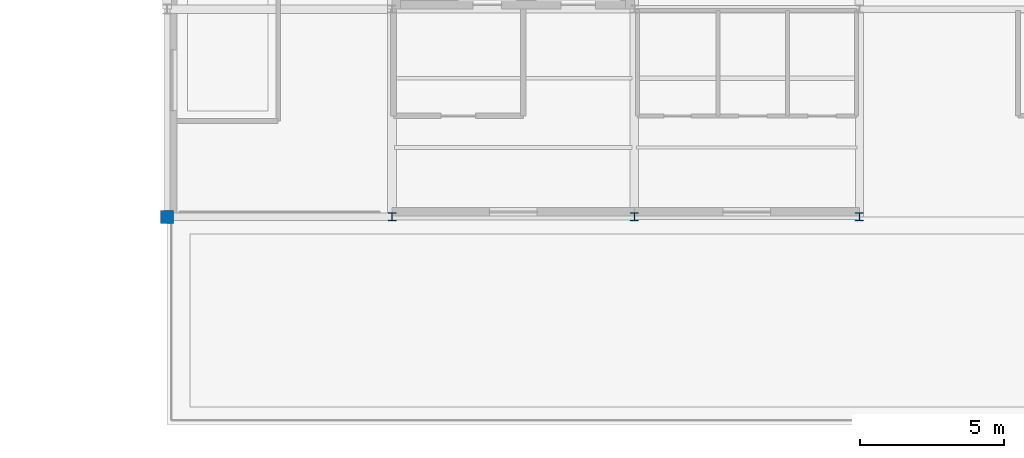
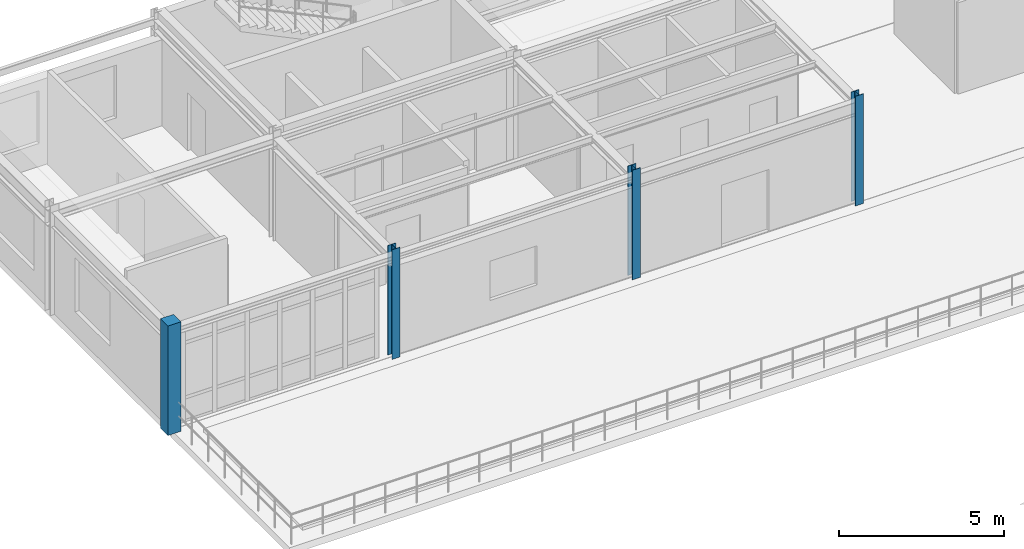
# One storey, part 3 of 58: 4 columns.
"""IFC4 building model written with IfcOpenShell, lengths in metres."""

import ifcopenshell
import ifcopenshell.guid

model = None  # the IFC model being written
_history = None  # IfcOwnerHistory: only IFC2X3 demands one
_inside = {}  # id of a spatial element -> (the spatial element, [elements in it])
_under = {}  # id of a project, library or spatial element -> (it, [spatial elements below it])
_declared = {}  # id of a project -> (the project, [libraries it declares])
_typed = {}  # id of a type object -> (the type object, [elements of that type])
_made_of = {}  # id of a material, layer set ... -> (it, [elements and type objects made of it])


def new_model(schema):
    """Start an empty IFC model of exactly this schema.

    Asked for "IFC4X3", IfcOpenShell would pick the latest addendum, in which some entities
    have other attributes; the version numbers below select the first issue.
    IFC2X3 requires an IfcOwnerHistory on every rooted entity: one is made here for all.
    """
    global model, _history
    if schema == "IFC4X3":
        model = ifcopenshell.file(schema_version=(4, 3, 0, 0))
    else:
        model = ifcopenshell.file(schema=schema)
    _inside.clear()
    _under.clear()
    _declared.clear()
    _typed.clear()
    _made_of.clear()
    _history = None
    if model.schema == "IFC2X3":
        org = make("IfcOrganization", Name="unknown")
        user = make(
            "IfcPersonAndOrganization",
            ThePerson=make("IfcPerson", FamilyName="unknown"),
            TheOrganization=org,
        )
        app = make(
            "IfcApplication",
            ApplicationDeveloper=org,
            Version="unknown",
            ApplicationFullName="unknown",
            ApplicationIdentifier="unknown",
        )
        _history = make(
            "IfcOwnerHistory",
            OwningUser=user,
            OwningApplication=app,
            ChangeAction="ADDED",
            CreationDate=0,
        )
    return model


def make(cls, **values):
    """One entity of the class cls with the attributes given. An attribute that is None is left unset."""
    return model.create_entity(
        cls, **{name: value for name, value in values.items() if value is not None}
    )


def rooted(cls, **values):
    """An entity with a GlobalId (a new one), such as an element, a storey or a relation."""
    return make(cls, GlobalId=ifcopenshell.guid.new(), OwnerHistory=_history, **values)


def si_unit(unit_type, name, prefix=None):
    """IfcSIUnit, for example si_unit("LENGTHUNIT", "METRE", prefix="MILLI")."""
    return make("IfcSIUnit", UnitType=unit_type, Prefix=prefix, Name=name)


def derived_unit(unit_type, elements):
    """IfcDerivedUnit: a product of units, each with its exponent."""
    return make(
        "IfcDerivedUnit",
        Elements=[
            make("IfcDerivedUnitElement", Unit=unit, Exponent=power)
            for unit, power in elements
        ],
        UnitType=unit_type,
    )


def assignment(units):
    """IfcUnitAssignment: the units of a project."""
    return None if units is None else make("IfcUnitAssignment", Units=units)


def point(xyz):
    """IfcCartesianPoint."""
    return None if xyz is None else make("IfcCartesianPoint", Coordinates=xyz)


def direction(xyz):
    """IfcDirection."""
    return None if xyz is None else make("IfcDirection", DirectionRatios=xyz)


def frame(location, z_axis=None, x_axis=None):
    """IfcAxis2Placement3D, a coordinate frame: its origin and axes. An axis left out is left unset."""
    return make(
        "IfcAxis2Placement3D",
        Location=point(location),
        Axis=direction(z_axis),
        RefDirection=direction(x_axis),
    )


def frame_2d(location, x_axis=None):
    """IfcAxis2Placement2D, a coordinate frame in the plane: its origin and x axis."""
    return make(
        "IfcAxis2Placement2D", Location=point(location), RefDirection=direction(x_axis)
    )


def origin():
    """The frame at (0, 0, 0) with its axes left unset."""
    return frame((0.0, 0.0, 0.0))


def origin_2d():
    """The frame at (0, 0) in the plane with its x axis left unset."""
    return frame_2d((0.0, 0.0))


def place(relative_to, where):
    """IfcLocalPlacement: puts the frame where relative to a parent placement (None: the world)."""
    return make(
        "IfcLocalPlacement", PlacementRelTo=relative_to, RelativePlacement=where
    )


def context(
    kind, dimensions, precision=None, world=None, true_north=None, identifier=None
):
    """IfcGeometricRepresentationContext, for example the 3D "Model" context."""
    return make(
        "IfcGeometricRepresentationContext",
        ContextIdentifier=identifier,
        ContextType=kind,
        CoordinateSpaceDimension=dimensions,
        Precision=precision,
        WorldCoordinateSystem=world,
        TrueNorth=true_north,
    )


def subcontext(parent, identifier, kind, view, scale=None):
    """IfcGeometricRepresentationSubContext, for example "Body" below "Model"."""
    return make(
        "IfcGeometricRepresentationSubContext",
        ContextIdentifier=identifier,
        ContextType=kind,
        ParentContext=parent,
        TargetScale=scale,
        TargetView=view,
    )


def project(units=None, contexts=None):
    """IfcProject with its units and contexts."""
    return rooted(
        "IfcProject",
        Name="project",
        RepresentationContexts=contexts,
        UnitsInContext=assignment(units),
    )


def spatial(cls, under=None, at=None, **own):
    """A site, building, storey or space (cls), placed at a placement, below another one or the project."""
    s = rooted(cls, ObjectPlacement=at, **own)
    if under is not None:
        _under.setdefault(under.id(), (under, []))[1].append(s)
    return s


def profile(cls, at=None, kind="AREA", **sizes):
    """A parametric profile (cls). Its sizes go by their IFC names, for example OverallWidth=200.0."""
    return make(cls, ProfileType=kind, Position=at, **sizes)


def rectangle(**sizes):
    """IfcRectangleProfileDef."""
    return profile("IfcRectangleProfileDef", **sizes)


def i_section(**sizes):
    """IfcIShapeProfileDef."""
    return profile("IfcIShapeProfileDef", **sizes)


def extrude(swept, where, along, depth):
    """IfcExtrudedAreaSolid: the profile swept, set in the frame where, extruded along a direction by depth."""
    return make(
        "IfcExtrudedAreaSolid",
        SweptArea=swept,
        Position=where,
        ExtrudedDirection=direction(along),
        Depth=depth,
    )


def shape(context_of_items, identifier, shape_type, items):
    """IfcShapeRepresentation: the items that make up one representation, for example the "Body"."""
    return make(
        "IfcShapeRepresentation",
        ContextOfItems=context_of_items,
        RepresentationIdentifier=identifier,
        RepresentationType=shape_type,
        Items=items,
    )


def material(Name=None, Category=None):
    """IfcMaterial."""
    return make("IfcMaterial", Name=Name, Category=Category)


def material_profile(
    of_material, cross_section, Name=None, Category=None, Priority=None
):
    """IfcMaterialProfile: a cross section and its material."""
    return make(
        "IfcMaterialProfile",
        Name=Name,
        Material=of_material,
        Profile=cross_section,
        Priority=Priority,
        Category=Category,
    )


def profile_set(profiles, Name=None, composite=None):
    """IfcMaterialProfileSet."""
    return make(
        "IfcMaterialProfileSet",
        Name=Name,
        MaterialProfiles=profiles,
        CompositeProfile=composite,
    )


def made_of(thing, what):
    """Note that an element or type object is made of a material, layer set ...; save() writes the relation."""
    if what is not None:
        _made_of.setdefault(what.id(), (what, []))[1].append(thing)
    return thing


def type_object(cls, material=None, **own):
    """A type object (cls), such as IfcWallType, which elements share."""
    return made_of(rooted(cls, **own), material)


def element(
    cls,
    number,
    at=None,
    inside=None,
    cuts=None,
    type_object=None,
    material=None,
    context=None,
    identifier="Body",
    shape_type=None,
    held_by="IfcProductDefinitionShape",
    body=None,
    shapes=None,
    **own,
):
    """One element of the class cls, such as IfcWall. Its Tag is "e" and its number.

    at: its placement. inside: the storey or other place that contains it. cuts: it is an
    opening in that element (IfcRelVoidsElement). A single representation is given by context,
    identifier, shape_type and body (its items); several are given by shapes. held_by: the class
    of the entity that holds the representations. save() writes the other relations.
    """
    e = rooted(cls, Tag="e%d" % number, ObjectPlacement=at, **own)
    if body is not None:
        shapes = [shape(context, identifier, shape_type, body)]
    if shapes is not None:
        e.Representation = make(held_by, Representations=shapes)
    if inside is not None:
        _inside.setdefault(inside.id(), (inside, []))[1].append(e)
    if cuts is not None:
        rooted(
            "IfcRelVoidsElement", RelatingBuildingElement=cuts, RelatedOpeningElement=e
        )
    if type_object is not None:
        _typed.setdefault(type_object.id(), (type_object, []))[1].append(e)
    return made_of(e, material)


def aggregate(whole, parts):
    """IfcRelAggregates: a whole, such as a stair, and the parts it consists of."""
    return rooted("IfcRelAggregates", RelatingObject=whole, RelatedObjects=parts)


def save(model, path):
    """Write the relations noted so far, then the file.

    IfcRelAggregates (storeys below a building ...), IfcRelContainedInSpatialStructure (elements
    in a storey), IfcRelDefinesByType, IfcRelAssociatesMaterial and IfcRelDeclares: one each for
    every whole, place, type object, material and project.
    """
    for whole, parts in _under.values():
        aggregate(whole, parts)
    for where, things in _inside.values():
        rooted(
            "IfcRelContainedInSpatialStructure",
            RelatedElements=things,
            RelatingStructure=where,
        )
    for kind, things in _typed.values():
        rooted("IfcRelDefinesByType", RelatedObjects=things, RelatingType=kind)
    for what, things in _made_of.values():
        rooted("IfcRelAssociatesMaterial", RelatedObjects=things, RelatingMaterial=what)
    for by, libraries in _declared.values():
        rooted("IfcRelDeclares", RelatingContext=by, RelatedDefinitions=libraries)
    model.write(path)


model = new_model("IFC4")

# Units and contexts
model_context = context("Model", 3, precision=1e-05, world=origin(), true_north=direction((0.0, 1.0)))
body_context = subcontext(model_context, "Body", "Model", "MODEL_VIEW")
ifc_project = project(units=[si_unit("LENGTHUNIT", "METRE"), si_unit("AREAUNIT", "SQUARE_METRE"), si_unit("VOLUMEUNIT", "CUBIC_METRE"), si_unit("PLANEANGLEUNIT", "RADIAN"), si_unit("MASSUNIT", "GRAM", prefix="KILO"), derived_unit("THERMALTRANSMITTANCEUNIT", [(si_unit("POWERUNIT", "WATT"), 1), (si_unit("AREAUNIT", "SQUARE_METRE"), -1), (si_unit("THERMODYNAMICTEMPERATUREUNIT", "KELVIN"), -1)])], contexts=[model_context])

# Site, building, storey
site_placement = place(None, origin())
site = spatial("IfcSite", under=ifc_project, at=site_placement, CompositionType="ELEMENT")
building_placement = place(site_placement, origin())
building = spatial("IfcBuilding", under=site, at=building_placement, Name="Yasenodar Specialist Clinic", CompositionType="ELEMENT")
storey_placement = place(building_placement, frame((0.0, 0.0, 21.300048828125)))
storey = spatial("IfcBuildingStorey", under=building, at=storey_placement, Name="L05", CompositionType="ELEMENT", Elevation=21.300048828125)

# Columns
ifc_material_1 = material(Name="Concrete C35/45", Category="concrete")
ifc_material_profile_1 = material_profile(ifc_material_1, rectangle(XDim=0.449951171875, YDim=0.449951171875, at=origin_2d()), Name="RC 450x450")
ifc_profile_set_1 = profile_set([ifc_material_profile_1], Name="Concrete C35/45")
column_type_1 = type_object("IfcColumnType", Name="COL-RC-450", PredefinedType="COLUMN", material=ifc_profile_set_1)
column_placement = place(storey_placement, frame((49.199951171875, 97.199951171875, 0.0), z_axis=(0.0, 0.0, 1.0), x_axis=(1.0, 0.0, 0.0)))
element("IfcColumn", 1, at=column_placement, inside=storey, type_object=column_type_1, Name="L05 Column V5-083", PredefinedType="COLUMN", context=body_context, shape_type="SweptSolid", body=[
    extrude(rectangle(XDim=0.449951171875, YDim=0.449951171875, at=origin_2d()), origin(), (0.0, 0.0, 1.0), 4.050048828125),
])
ifc_material_2 = material(Name="Steel S355", Category="steel")
ifc_material_profile_2 = material_profile(ifc_material_2, i_section(OverallWidth=0.280029296875, OverallDepth=0.280029296875, WebThickness=0.010498046875, FlangeThickness=0.01806640625, FilletRadius=0.02392578125, at=origin_2d()), Name="HEB 280")
ifc_profile_set_2 = profile_set([ifc_material_profile_2], Name="Steel S355")
column_type_2 = type_object("IfcColumnType", Name="COL-ST-HEB280", PredefinedType="COLUMN", material=ifc_profile_set_2)
for number, where, z_axis, x_axis, name in (
    (2, (57.0, 97.199951171875, 0.0), (0.0, 0.0, 1.0), (1.0, 0.0, 0.0), "L05 Column V5-090"),
    (3, (65.39990234375, 97.199951171875, 0.0), (0.0, 0.0, 1.0), (1.0, 0.0, 0.0), "L05 Column V5-095"),
    (4, (73.199951171875, 97.199951171875, 0.0), (0.0, 0.0, 1.0), (1.0, 0.0, 0.0), "L05 Column V5-100"),
):
    element("IfcColumn", number, at=place(storey_placement, frame(where, z_axis=z_axis, x_axis=x_axis)), inside=storey, type_object=column_type_2, Name=name, PredefinedType="COLUMN", context=body_context, shape_type="SweptSolid", body=[
        extrude(i_section(OverallWidth=0.280029296875, OverallDepth=0.280029296875, WebThickness=0.010498046875, FlangeThickness=0.01806640625, FilletRadius=0.02392578125, at=origin_2d()), origin(), (0.0, 0.0, 1.0), 4.050048828125),
    ])

save(model, "model.ifc")
